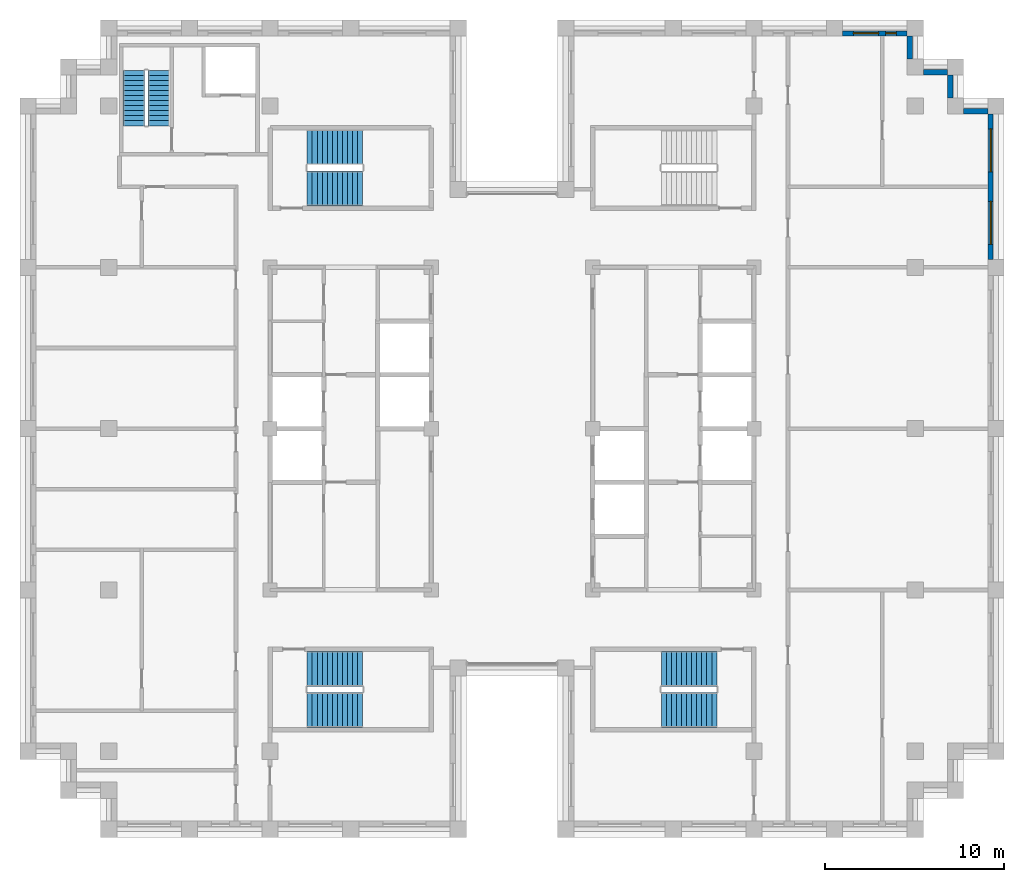
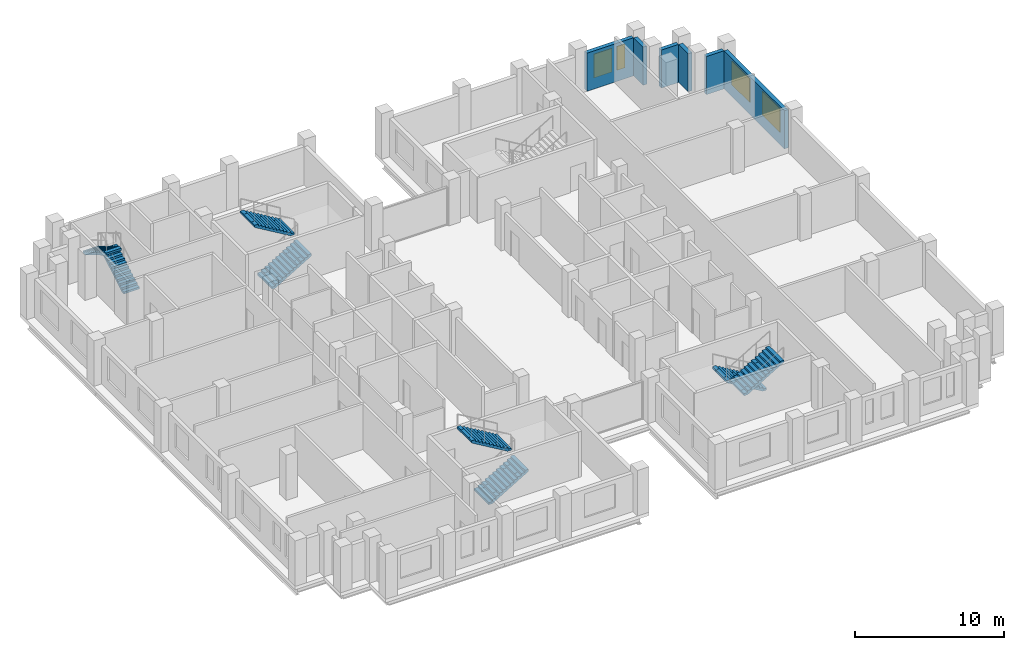
# One storey, part 11 of 13: 8 stair flights, 6 walls, 4 windows, 4 openings, 4 elements without a shape of their own.
"""IFC4 building model written with IfcOpenShell, lengths in metres."""

from ifc_helpers import new_model, si_unit, direction, frame, frame_2d, origin, place, context, subcontext, project, spatial, polyline, rectangle, outline, extrude, material, layer, layer_set, type_object, element, fill, aggregate, save


model = new_model("IFC4")

# Units and contexts
model_context = context("Model", 3, precision=1e-05, world=origin(), true_north=direction((0.0, 1.0)))
body_context = subcontext(model_context, "Body", "Model", "MODEL_VIEW")
ifc_project = project(units=[si_unit("LENGTHUNIT", "METRE"), si_unit("AREAUNIT", "SQUARE_METRE"), si_unit("VOLUMEUNIT", "CUBIC_METRE"), si_unit("PLANEANGLEUNIT", "RADIAN"), si_unit("MASSUNIT", "GRAM", prefix="KILO")], contexts=[model_context])

# Site, building, storey
site_placement = place(None, origin())
site = spatial("IfcSite", under=ifc_project, at=site_placement, CompositionType="ELEMENT")
building_placement = place(site_placement, origin())
building = spatial("IfcBuilding", under=site, at=building_placement, Name="Corbelhall Arena Tower", CompositionType="ELEMENT")
storey_placement = place(building_placement, frame((0.0, 0.0, 278.0)))
storey = spatial("IfcBuildingStorey", under=building, at=storey_placement, Name="L60", CompositionType="ELEMENT", Elevation=278.0)

# Wall, openings, windows
ifc_material_1 = material(Name="Precast concrete C40/50 with granite facing", Category="masonry")
ifc_layer = layer(ifc_material_1, 0.300048828125)
ifc_layer_set = layer_set([ifc_layer], Name="EV-IW1 Infill panel 300")
wall_type = type_object("IfcWallType", Name="EV-IW1 Infill panel 300", PredefinedType="SOLIDWALL", material=ifc_layer_set)
wall_1_placement = place(storey_placement, frame((26.699951171875, 9.449951171875, 0.0), z_axis=(0.0, 0.0, 1.0), x_axis=(0.0, 1.0, 0.0)))
wall_1 = element("IfcWall", 1, at=wall_1_placement, inside=storey, type_object=wall_type, Name="Infill panel IW1", PredefinedType="SOLIDWALL", context=body_context, shape_type="SweptSolid", body=[
    extrude(rectangle(XDim=8.10009765625, YDim=0.300048828125, at=frame_2d((4.050048828125, 0.0))), origin(), (0.0, 0.0, 1.0), 3.1201171875),
])
opening_1_placement = place(wall_1_placement, frame((0.824951171875, 0.0, 0.800048828125)))
opening_1 = element("IfcOpeningElement", 2, at=opening_1_placement, cuts=wall_1, Name="Opening WN1", PredefinedType="OPENING", context=body_context, shape_type="SweptSolid", body=[
    extrude(rectangle(XDim=2.39990234375, YDim=1.949951171875, at=frame_2d((1.199951171875, 0.97509765625))), frame((0.0, 0.14990234375, 0.0), z_axis=(0.0, -1.0, 0.0), x_axis=(1.0, 0.0, 0.0)), (0.0, 0.0, 1.0), 0.300048828125),
])
opening_2_placement = place(wall_1_placement, frame((4.875, 0.0, 0.800048828125)))
opening_2 = element("IfcOpeningElement", 3, at=opening_2_placement, cuts=wall_1, Name="Opening WN1", PredefinedType="OPENING", context=body_context, shape_type="SweptSolid", body=[
    extrude(rectangle(XDim=2.39990234375, YDim=1.949951171875, at=frame_2d((1.199951171875, 0.97509765625))), frame((0.0, 0.14990234375, 0.0), z_axis=(0.0, -1.0, 0.0), x_axis=(1.0, 0.0, 0.0)), (0.0, 0.0, 1.0), 0.300048828125),
])
ifc_material_2 = material(Name="Aluminium black anodised", Category="aluminium")
window_type_1 = type_object("IfcWindowType", Name="EV-WN1 Office window", PartitioningType="SINGLE_PANEL", PredefinedType="WINDOW", material=ifc_material_2)
window_1_placement = place(opening_1_placement, origin())
window_1 = element("IfcWindow", 4, at=window_1_placement, inside=storey, type_object=window_type_1, Name="Window WN1", OverallHeight=1.949951171875, OverallWidth=2.39990234375, PartitioningType="SINGLE_PANEL", PredefinedType="WINDOW", context=body_context, shape_type="SweptSolid", body=[
    extrude(rectangle(XDim=2.39990234375, YDim=1.949951171875, at=frame_2d((1.199951171875, 0.97509765625))), frame((0.0, 0.030029296875, 0.0), z_axis=(0.0, -1.0, 0.0), x_axis=(1.0, 0.0, 0.0)), (0.0, 0.0, 1.0), 0.06005859375),
])
fill(opening_1, window_1)
window_2_placement = place(opening_2_placement, origin())
window_2 = element("IfcWindow", 5, at=window_2_placement, inside=storey, type_object=window_type_1, Name="Window WN1", OverallHeight=1.949951171875, OverallWidth=2.39990234375, PartitioningType="SINGLE_PANEL", PredefinedType="WINDOW", context=body_context, shape_type="SweptSolid", body=[
    extrude(rectangle(XDim=2.39990234375, YDim=1.949951171875, at=frame_2d((1.199951171875, 0.97509765625))), frame((0.0, 0.030029296875, 0.0), z_axis=(0.0, -1.0, 0.0), x_axis=(1.0, 0.0, 0.0)), (0.0, 0.0, 1.0), 0.06005859375),
])
fill(opening_2, window_2)

# Walls
wall_2_placement = place(storey_placement, frame((26.550048828125, 17.699951171875, 0.0), z_axis=(0.0, 0.0, 1.0), x_axis=(-1.0, 0.0, 0.0)))
element("IfcWall", 6, at=wall_2_placement, inside=storey, type_object=wall_type, Name="Infill panel IW1", PredefinedType="SOLIDWALL", context=body_context, shape_type="SweptSolid", body=[
    extrude(rectangle(XDim=1.35009765625, YDim=0.300048828125, at=frame_2d((0.675048828125, 0.0))), origin(), (0.0, 0.0, 1.0), 3.1201171875),
])
wall_3_placement = place(storey_placement, frame((24.449951171875, 18.449951171875, 0.0), z_axis=(0.0, 0.0, 1.0), x_axis=(0.0, 1.0, 0.0)))
element("IfcWall", 7, at=wall_3_placement, inside=storey, type_object=wall_type, Name="Infill panel IW1", PredefinedType="SOLIDWALL", context=body_context, shape_type="SweptSolid", body=[
    extrude(rectangle(XDim=1.275146484375, YDim=0.300048828125, at=frame_2d((0.6376953125, 0.0))), origin(), (0.0, 0.0, 1.0), 3.1201171875),
])
wall_4_placement = place(storey_placement, frame((24.300048828125, 19.875, 0.0), z_axis=(0.0, 0.0, 1.0), x_axis=(-1.0, 0.0, 0.0)))
element("IfcWall", 8, at=wall_4_placement, inside=storey, type_object=wall_type, Name="Infill panel IW1", PredefinedType="SOLIDWALL", context=body_context, shape_type="SweptSolid", body=[
    extrude(rectangle(XDim=1.35009765625, YDim=0.300048828125, at=frame_2d((0.675048828125, 0.0))), origin(), (0.0, 0.0, 1.0), 3.1201171875),
])
wall_5_placement = place(storey_placement, frame((22.199951171875, 20.625, 0.0), z_axis=(0.0, 0.0, 1.0), x_axis=(0.0, 1.0, 0.0)))
element("IfcWall", 9, at=wall_5_placement, inside=storey, type_object=wall_type, Name="Infill panel IW1", PredefinedType="SOLIDWALL", context=body_context, shape_type="SweptSolid", body=[
    extrude(rectangle(XDim=1.27490234375, YDim=0.300048828125, at=frame_2d((0.637451171875, 0.0))), origin(), (0.0, 0.0, 1.0), 3.1201171875),
])

# Wall, openings, windows
wall_6_placement = place(storey_placement, frame((22.050048828125, 22.050048828125, 0.0), z_axis=(0.0, 0.0, 1.0), x_axis=(-1.0, 0.0, 0.0)))
wall_6 = element("IfcWall", 10, at=wall_6_placement, inside=storey, type_object=wall_type, Name="Infill panel IW1", PredefinedType="SOLIDWALL", context=body_context, shape_type="SweptSolid", body=[
    extrude(rectangle(XDim=3.60009765625, YDim=0.300048828125, at=frame_2d((1.800048828125, 0.0))), origin(), (0.0, 0.0, 1.0), 3.1201171875),
])
opening_3_placement = place(wall_6_placement, frame((0.60009765625, 0.0, 0.800048828125)))
opening_3 = element("IfcOpeningElement", 11, at=opening_3_placement, cuts=wall_6, Name="Opening WN5", PredefinedType="OPENING", context=body_context, shape_type="SweptSolid", body=[
    extrude(rectangle(XDim=0.60009765625, YDim=1.949951171875, at=frame_2d((0.300048828125, 0.97509765625))), frame((0.0, 0.14990234375, 0.0), z_axis=(0.0, -1.0, 0.0), x_axis=(1.0, 0.0, 0.0)), (0.0, 0.0, 1.0), 0.300048828125),
])
opening_4_placement = place(wall_6_placement, frame((1.60009765625, 0.0, 0.800048828125)))
opening_4 = element("IfcOpeningElement", 12, at=opening_4_placement, cuts=wall_6, Name="Opening WN7", PredefinedType="OPENING", context=body_context, shape_type="SweptSolid", body=[
    extrude(rectangle(XDim=1.39990234375, YDim=1.949951171875, at=frame_2d((0.699951171875, 0.97509765625))), frame((0.0, 0.14990234375, 0.0), z_axis=(0.0, -1.0, 0.0), x_axis=(1.0, 0.0, 0.0)), (0.0, 0.0, 1.0), 0.300048828125),
])
window_type_2 = type_object("IfcWindowType", Name="EV-WN5 Office window 600", PartitioningType="SINGLE_PANEL", PredefinedType="WINDOW", material=ifc_material_2)
window_3_placement = place(opening_3_placement, origin())
window_3 = element("IfcWindow", 13, at=window_3_placement, inside=storey, type_object=window_type_2, Name="Window WN5", OverallHeight=1.949951171875, OverallWidth=0.60009765625, PartitioningType="SINGLE_PANEL", PredefinedType="WINDOW", context=body_context, shape_type="SweptSolid", body=[
    extrude(rectangle(XDim=0.60009765625, YDim=1.949951171875, at=frame_2d((0.300048828125, 0.97509765625))), frame((0.0, 0.030029296875, 0.0), z_axis=(0.0, -1.0, 0.0), x_axis=(1.0, 0.0, 0.0)), (0.0, 0.0, 1.0), 0.06005859375),
])
fill(opening_3, window_3)
window_type_3 = type_object("IfcWindowType", Name="EV-WN7 Office window 1400", PartitioningType="SINGLE_PANEL", PredefinedType="WINDOW", material=ifc_material_2)
window_4_placement = place(opening_4_placement, origin())
window_4 = element("IfcWindow", 14, at=window_4_placement, inside=storey, type_object=window_type_3, Name="Window WN7", OverallHeight=1.949951171875, OverallWidth=1.39990234375, PartitioningType="SINGLE_PANEL", PredefinedType="WINDOW", context=body_context, shape_type="SweptSolid", body=[
    extrude(rectangle(XDim=1.39990234375, YDim=1.949951171875, at=frame_2d((0.699951171875, 0.97509765625))), frame((0.0, 0.030029296875, 0.0), z_axis=(0.0, -1.0, 0.0), x_axis=(1.0, 0.0, 0.0)), (0.0, 0.0, 1.0), 0.06005859375),
])
fill(opening_4, window_4)

# Stair, stair flights
ifc_material_3 = material(Name="Concrete C40/50", Category="concrete")
stair_type = type_object("IfcStairType", Name="IN-ST-TOWER", PredefinedType="HALF_TURN_STAIR", material=ifc_material_3)
stair_1_placement = place(storey_placement, origin())
stair_1 = element("IfcStair", 15, at=stair_1_placement, inside=storey, type_object=stair_type, Name="L60 Exit stair ST1", PredefinedType="HALF_TURN_STAIR")
stair_flight_type = type_object("IfcStairFlightType", Name="IN-SFL-RC", PredefinedType="STRAIGHT", material=ifc_material_3)
stair_flight_1_placement = place(storey_placement, frame((-11.425048828125, 13.39990234375, 0.0), z_axis=(0.0, 0.0, 1.0), x_axis=(1.0, 0.0, 0.0)))
stair_flight_1 = element("IfcStairFlight", 16, at=stair_flight_1_placement, type_object=stair_flight_type, Name="ST1 flight 1", NumberOfRisers=12, NumberOfTreads=11, PredefinedType="STRAIGHT", RiserHeight=0.166666667, TreadLength=0.28, context=body_context, shape_type="SweptSolid", body=[
    extrude(outline(polyline([(0.0, 0.0), (0.0, 0.166748046875), (0.280029296875, 0.166748046875), (0.280029296875, 0.333251953125), (0.56005859375, 0.333251953125), (0.56005859375, 0.5), (0.840087890625, 0.5), (0.840087890625, 0.666748046875), (1.1201171875, 0.666748046875), (1.1201171875, 0.833251953125), (1.39990234375, 0.833251953125), (1.39990234375, 1.0), (1.679931640625, 1.0), (1.679931640625, 1.166748046875), (1.9599609375, 1.166748046875), (1.9599609375, 1.333251953125), (2.239990234375, 1.333251953125), (2.239990234375, 1.5), (2.52001953125, 1.5), (2.52001953125, 1.666748046875), (2.800048828125, 1.666748046875), (2.800048828125, 1.833251953125), (3.080078125, 1.833251953125), (3.080078125, 2.0), (3.080078125, 1.658935546875), (0.29296875, 0.0), (0.0, 0.0)])), frame((0.0, 0.97509765625, 0.0), z_axis=(0.0, -1.0, 0.0), x_axis=(1.0, 0.0, 0.0)), (0.0, 0.0, 1.0), 0.449951171875),
    extrude(outline(polyline([(0.0, 0.0), (0.0, 0.166748046875), (0.280029296875, 0.166748046875), (0.280029296875, 0.333251953125), (0.56005859375, 0.333251953125), (0.56005859375, 0.5), (0.840087890625, 0.5), (0.840087890625, 0.666748046875), (1.1201171875, 0.666748046875), (1.1201171875, 0.833251953125), (1.39990234375, 0.833251953125), (1.39990234375, 1.0), (1.679931640625, 1.0), (1.679931640625, 1.166748046875), (1.9599609375, 1.166748046875), (1.9599609375, 1.333251953125), (2.239990234375, 1.333251953125), (2.239990234375, 1.5), (2.52001953125, 1.5), (2.52001953125, 1.666748046875), (2.800048828125, 1.666748046875), (2.800048828125, 1.833251953125), (3.080078125, 1.833251953125), (3.080078125, 2.0), (3.080078125, 1.658935546875), (0.29296875, 0.0), (0.0, 0.0)])), frame((0.0, 0.52099609375, 0.0), z_axis=(0.0, -1.0, 0.0), x_axis=(1.0, 0.0, 0.0)), (0.0, 0.0, 1.0), 1.0419921875),
    extrude(outline(polyline([(0.0, 0.0), (0.0, 0.166748046875), (0.280029296875, 0.166748046875), (0.280029296875, 0.333251953125), (0.56005859375, 0.333251953125), (0.56005859375, 0.5), (0.840087890625, 0.5), (0.840087890625, 0.666748046875), (1.1201171875, 0.666748046875), (1.1201171875, 0.833251953125), (1.39990234375, 0.833251953125), (1.39990234375, 1.0), (1.679931640625, 1.0), (1.679931640625, 1.166748046875), (1.9599609375, 1.166748046875), (1.9599609375, 1.333251953125), (2.239990234375, 1.333251953125), (2.239990234375, 1.5), (2.52001953125, 1.5), (2.52001953125, 1.666748046875), (2.800048828125, 1.666748046875), (2.800048828125, 1.833251953125), (3.080078125, 1.833251953125), (3.080078125, 2.0), (3.080078125, 1.658935546875), (0.29296875, 0.0), (0.0, 0.0)])), frame((0.0, -0.52490234375, 0.0), z_axis=(0.0, -1.0, 0.0), x_axis=(1.0, 0.0, 0.0)), (0.0, 0.0, 1.0), 0.449951171875),
])
stair_flight_2_placement = place(storey_placement, frame((-8.344970703125, 15.699951171875, 2.0), z_axis=(0.0, 0.0, 1.0), x_axis=(-1.0, 0.0, 0.0)))
stair_flight_2 = element("IfcStairFlight", 17, at=stair_flight_2_placement, type_object=stair_flight_type, Name="ST1 flight 2", NumberOfRisers=12, NumberOfTreads=11, PredefinedType="STRAIGHT", RiserHeight=0.166666667, TreadLength=0.28, context=body_context, shape_type="SweptSolid", body=[
    extrude(outline(polyline([(0.0, 0.0), (0.0, 0.166748046875), (0.280029296875, 0.166748046875), (0.280029296875, 0.333251953125), (0.56005859375, 0.333251953125), (0.56005859375, 0.5), (0.840087890625, 0.5), (0.840087890625, 0.666748046875), (1.1201171875, 0.666748046875), (1.1201171875, 0.833251953125), (1.39990234375, 0.833251953125), (1.39990234375, 1.0), (1.679931640625, 1.0), (1.679931640625, 1.166748046875), (1.9599609375, 1.166748046875), (1.9599609375, 1.333251953125), (2.239990234375, 1.333251953125), (2.239990234375, 1.5), (2.52001953125, 1.5), (2.52001953125, 1.666748046875), (2.800048828125, 1.666748046875), (2.800048828125, 1.833251953125), (3.080078125, 1.833251953125), (3.080078125, 2.0), (3.080078125, 1.658935546875), (0.29296875, 0.0), (0.0, 0.0)])), frame((0.0, 0.97509765625, 0.0), z_axis=(0.0, -1.0, 0.0), x_axis=(1.0, 0.0, 0.0)), (0.0, 0.0, 1.0), 0.449951171875),
    extrude(outline(polyline([(0.0, 0.0), (0.0, 0.166748046875), (0.280029296875, 0.166748046875), (0.280029296875, 0.333251953125), (0.56005859375, 0.333251953125), (0.56005859375, 0.5), (0.840087890625, 0.5), (0.840087890625, 0.666748046875), (1.1201171875, 0.666748046875), (1.1201171875, 0.833251953125), (1.39990234375, 0.833251953125), (1.39990234375, 1.0), (1.679931640625, 1.0), (1.679931640625, 1.166748046875), (1.9599609375, 1.166748046875), (1.9599609375, 1.333251953125), (2.239990234375, 1.333251953125), (2.239990234375, 1.5), (2.52001953125, 1.5), (2.52001953125, 1.666748046875), (2.800048828125, 1.666748046875), (2.800048828125, 1.833251953125), (3.080078125, 1.833251953125), (3.080078125, 2.0), (3.080078125, 1.658935546875), (0.29296875, 0.0), (0.0, 0.0)])), frame((0.0, 0.52099609375, 0.0), z_axis=(0.0, -1.0, 0.0), x_axis=(1.0, 0.0, 0.0)), (0.0, 0.0, 1.0), 1.0419921875),
    extrude(outline(polyline([(0.0, 0.0), (0.0, 0.166748046875), (0.280029296875, 0.166748046875), (0.280029296875, 0.333251953125), (0.56005859375, 0.333251953125), (0.56005859375, 0.5), (0.840087890625, 0.5), (0.840087890625, 0.666748046875), (1.1201171875, 0.666748046875), (1.1201171875, 0.833251953125), (1.39990234375, 0.833251953125), (1.39990234375, 1.0), (1.679931640625, 1.0), (1.679931640625, 1.166748046875), (1.9599609375, 1.166748046875), (1.9599609375, 1.333251953125), (2.239990234375, 1.333251953125), (2.239990234375, 1.5), (2.52001953125, 1.5), (2.52001953125, 1.666748046875), (2.800048828125, 1.666748046875), (2.800048828125, 1.833251953125), (3.080078125, 1.833251953125), (3.080078125, 2.0), (3.080078125, 1.658935546875), (0.29296875, 0.0), (0.0, 0.0)])), frame((0.0, -0.52490234375, 0.0), z_axis=(0.0, -1.0, 0.0), x_axis=(1.0, 0.0, 0.0)), (0.0, 0.0, 1.0), 0.449951171875),
])
aggregate(stair_1, [stair_flight_1, stair_flight_2])

stair_2_placement = place(storey_placement, origin())
stair_2 = element("IfcStair", 18, at=stair_2_placement, inside=storey, type_object=stair_type, Name="L60 Exit stair ST2", PredefinedType="HALF_TURN_STAIR")
stair_flight_3_placement = place(storey_placement, frame((-11.425048828125, -15.699951171875, 0.0), z_axis=(0.0, 0.0, 1.0), x_axis=(1.0, 0.0, 0.0)))
stair_flight_3 = element("IfcStairFlight", 19, at=stair_flight_3_placement, type_object=stair_flight_type, Name="ST2 flight 1", NumberOfRisers=12, NumberOfTreads=11, PredefinedType="STRAIGHT", RiserHeight=0.166666667, TreadLength=0.28, context=body_context, shape_type="SweptSolid", body=[
    extrude(outline(polyline([(0.0, 0.0), (0.0, 0.166748046875), (0.280029296875, 0.166748046875), (0.280029296875, 0.333251953125), (0.56005859375, 0.333251953125), (0.56005859375, 0.5), (0.840087890625, 0.5), (0.840087890625, 0.666748046875), (1.1201171875, 0.666748046875), (1.1201171875, 0.833251953125), (1.39990234375, 0.833251953125), (1.39990234375, 1.0), (1.679931640625, 1.0), (1.679931640625, 1.166748046875), (1.9599609375, 1.166748046875), (1.9599609375, 1.333251953125), (2.239990234375, 1.333251953125), (2.239990234375, 1.5), (2.52001953125, 1.5), (2.52001953125, 1.666748046875), (2.800048828125, 1.666748046875), (2.800048828125, 1.833251953125), (3.080078125, 1.833251953125), (3.080078125, 2.0), (3.080078125, 1.658935546875), (0.29296875, 0.0), (0.0, 0.0)])), frame((0.0, 0.97509765625, 0.0), z_axis=(0.0, -1.0, 0.0), x_axis=(1.0, 0.0, 0.0)), (0.0, 0.0, 1.0), 0.449951171875),
    extrude(outline(polyline([(0.0, 0.0), (0.0, 0.166748046875), (0.280029296875, 0.166748046875), (0.280029296875, 0.333251953125), (0.56005859375, 0.333251953125), (0.56005859375, 0.5), (0.840087890625, 0.5), (0.840087890625, 0.666748046875), (1.1201171875, 0.666748046875), (1.1201171875, 0.833251953125), (1.39990234375, 0.833251953125), (1.39990234375, 1.0), (1.679931640625, 1.0), (1.679931640625, 1.166748046875), (1.9599609375, 1.166748046875), (1.9599609375, 1.333251953125), (2.239990234375, 1.333251953125), (2.239990234375, 1.5), (2.52001953125, 1.5), (2.52001953125, 1.666748046875), (2.800048828125, 1.666748046875), (2.800048828125, 1.833251953125), (3.080078125, 1.833251953125), (3.080078125, 2.0), (3.080078125, 1.658935546875), (0.29296875, 0.0), (0.0, 0.0)])), frame((0.0, 0.52099609375, 0.0), z_axis=(0.0, -1.0, 0.0), x_axis=(1.0, 0.0, 0.0)), (0.0, 0.0, 1.0), 1.0419921875),
    extrude(outline(polyline([(0.0, 0.0), (0.0, 0.166748046875), (0.280029296875, 0.166748046875), (0.280029296875, 0.333251953125), (0.56005859375, 0.333251953125), (0.56005859375, 0.5), (0.840087890625, 0.5), (0.840087890625, 0.666748046875), (1.1201171875, 0.666748046875), (1.1201171875, 0.833251953125), (1.39990234375, 0.833251953125), (1.39990234375, 1.0), (1.679931640625, 1.0), (1.679931640625, 1.166748046875), (1.9599609375, 1.166748046875), (1.9599609375, 1.333251953125), (2.239990234375, 1.333251953125), (2.239990234375, 1.5), (2.52001953125, 1.5), (2.52001953125, 1.666748046875), (2.800048828125, 1.666748046875), (2.800048828125, 1.833251953125), (3.080078125, 1.833251953125), (3.080078125, 2.0), (3.080078125, 1.658935546875), (0.29296875, 0.0), (0.0, 0.0)])), frame((0.0, -0.52490234375, 0.0), z_axis=(0.0, -1.0, 0.0), x_axis=(1.0, 0.0, 0.0)), (0.0, 0.0, 1.0), 0.449951171875),
])
stair_flight_4_placement = place(storey_placement, frame((-8.344970703125, -13.39990234375, 2.0), z_axis=(0.0, 0.0, 1.0), x_axis=(-1.0, 0.0, 0.0)))
stair_flight_4 = element("IfcStairFlight", 20, at=stair_flight_4_placement, type_object=stair_flight_type, Name="ST2 flight 2", NumberOfRisers=12, NumberOfTreads=11, PredefinedType="STRAIGHT", RiserHeight=0.166666667, TreadLength=0.28, context=body_context, shape_type="SweptSolid", body=[
    extrude(outline(polyline([(0.0, 0.0), (0.0, 0.166748046875), (0.280029296875, 0.166748046875), (0.280029296875, 0.333251953125), (0.56005859375, 0.333251953125), (0.56005859375, 0.5), (0.840087890625, 0.5), (0.840087890625, 0.666748046875), (1.1201171875, 0.666748046875), (1.1201171875, 0.833251953125), (1.39990234375, 0.833251953125), (1.39990234375, 1.0), (1.679931640625, 1.0), (1.679931640625, 1.166748046875), (1.9599609375, 1.166748046875), (1.9599609375, 1.333251953125), (2.239990234375, 1.333251953125), (2.239990234375, 1.5), (2.52001953125, 1.5), (2.52001953125, 1.666748046875), (2.800048828125, 1.666748046875), (2.800048828125, 1.833251953125), (3.080078125, 1.833251953125), (3.080078125, 2.0), (3.080078125, 1.658935546875), (0.29296875, 0.0), (0.0, 0.0)])), frame((0.0, 0.97509765625, 0.0), z_axis=(0.0, -1.0, 0.0), x_axis=(1.0, 0.0, 0.0)), (0.0, 0.0, 1.0), 0.449951171875),
    extrude(outline(polyline([(0.0, 0.0), (0.0, 0.166748046875), (0.280029296875, 0.166748046875), (0.280029296875, 0.333251953125), (0.56005859375, 0.333251953125), (0.56005859375, 0.5), (0.840087890625, 0.5), (0.840087890625, 0.666748046875), (1.1201171875, 0.666748046875), (1.1201171875, 0.833251953125), (1.39990234375, 0.833251953125), (1.39990234375, 1.0), (1.679931640625, 1.0), (1.679931640625, 1.166748046875), (1.9599609375, 1.166748046875), (1.9599609375, 1.333251953125), (2.239990234375, 1.333251953125), (2.239990234375, 1.5), (2.52001953125, 1.5), (2.52001953125, 1.666748046875), (2.800048828125, 1.666748046875), (2.800048828125, 1.833251953125), (3.080078125, 1.833251953125), (3.080078125, 2.0), (3.080078125, 1.658935546875), (0.29296875, 0.0), (0.0, 0.0)])), frame((0.0, 0.52099609375, 0.0), z_axis=(0.0, -1.0, 0.0), x_axis=(1.0, 0.0, 0.0)), (0.0, 0.0, 1.0), 1.0419921875),
    extrude(outline(polyline([(0.0, 0.0), (0.0, 0.166748046875), (0.280029296875, 0.166748046875), (0.280029296875, 0.333251953125), (0.56005859375, 0.333251953125), (0.56005859375, 0.5), (0.840087890625, 0.5), (0.840087890625, 0.666748046875), (1.1201171875, 0.666748046875), (1.1201171875, 0.833251953125), (1.39990234375, 0.833251953125), (1.39990234375, 1.0), (1.679931640625, 1.0), (1.679931640625, 1.166748046875), (1.9599609375, 1.166748046875), (1.9599609375, 1.333251953125), (2.239990234375, 1.333251953125), (2.239990234375, 1.5), (2.52001953125, 1.5), (2.52001953125, 1.666748046875), (2.800048828125, 1.666748046875), (2.800048828125, 1.833251953125), (3.080078125, 1.833251953125), (3.080078125, 2.0), (3.080078125, 1.658935546875), (0.29296875, 0.0), (0.0, 0.0)])), frame((0.0, -0.52490234375, 0.0), z_axis=(0.0, -1.0, 0.0), x_axis=(1.0, 0.0, 0.0)), (0.0, 0.0, 1.0), 0.449951171875),
])
aggregate(stair_2, [stair_flight_3, stair_flight_4])

stair_3_placement = place(storey_placement, origin())
stair_3 = element("IfcStair", 21, at=stair_3_placement, inside=storey, type_object=stair_type, Name="L60 Exit stair ST4", PredefinedType="HALF_TURN_STAIR")
stair_flight_5_placement = place(storey_placement, frame((11.425048828125, -13.39990234375, 0.0), z_axis=(0.0, 0.0, 1.0), x_axis=(-1.0, 0.0, 0.0)))
stair_flight_5 = element("IfcStairFlight", 22, at=stair_flight_5_placement, type_object=stair_flight_type, Name="ST4 flight 1", NumberOfRisers=12, NumberOfTreads=11, PredefinedType="STRAIGHT", RiserHeight=0.166666667, TreadLength=0.28, context=body_context, shape_type="SweptSolid", body=[
    extrude(outline(polyline([(0.0, 0.0), (0.0, 0.166748046875), (0.280029296875, 0.166748046875), (0.280029296875, 0.333251953125), (0.56005859375, 0.333251953125), (0.56005859375, 0.5), (0.840087890625, 0.5), (0.840087890625, 0.666748046875), (1.1201171875, 0.666748046875), (1.1201171875, 0.833251953125), (1.39990234375, 0.833251953125), (1.39990234375, 1.0), (1.679931640625, 1.0), (1.679931640625, 1.166748046875), (1.9599609375, 1.166748046875), (1.9599609375, 1.333251953125), (2.239990234375, 1.333251953125), (2.239990234375, 1.5), (2.52001953125, 1.5), (2.52001953125, 1.666748046875), (2.800048828125, 1.666748046875), (2.800048828125, 1.833251953125), (3.080078125, 1.833251953125), (3.080078125, 2.0), (3.080078125, 1.658935546875), (0.29296875, 0.0), (0.0, 0.0)])), frame((0.0, 0.97509765625, 0.0), z_axis=(0.0, -1.0, 0.0), x_axis=(1.0, 0.0, 0.0)), (0.0, 0.0, 1.0), 0.449951171875),
    extrude(outline(polyline([(0.0, 0.0), (0.0, 0.166748046875), (0.280029296875, 0.166748046875), (0.280029296875, 0.333251953125), (0.56005859375, 0.333251953125), (0.56005859375, 0.5), (0.840087890625, 0.5), (0.840087890625, 0.666748046875), (1.1201171875, 0.666748046875), (1.1201171875, 0.833251953125), (1.39990234375, 0.833251953125), (1.39990234375, 1.0), (1.679931640625, 1.0), (1.679931640625, 1.166748046875), (1.9599609375, 1.166748046875), (1.9599609375, 1.333251953125), (2.239990234375, 1.333251953125), (2.239990234375, 1.5), (2.52001953125, 1.5), (2.52001953125, 1.666748046875), (2.800048828125, 1.666748046875), (2.800048828125, 1.833251953125), (3.080078125, 1.833251953125), (3.080078125, 2.0), (3.080078125, 1.658935546875), (0.29296875, 0.0), (0.0, 0.0)])), frame((0.0, 0.52099609375, 0.0), z_axis=(0.0, -1.0, 0.0), x_axis=(1.0, 0.0, 0.0)), (0.0, 0.0, 1.0), 1.0419921875),
    extrude(outline(polyline([(0.0, 0.0), (0.0, 0.166748046875), (0.280029296875, 0.166748046875), (0.280029296875, 0.333251953125), (0.56005859375, 0.333251953125), (0.56005859375, 0.5), (0.840087890625, 0.5), (0.840087890625, 0.666748046875), (1.1201171875, 0.666748046875), (1.1201171875, 0.833251953125), (1.39990234375, 0.833251953125), (1.39990234375, 1.0), (1.679931640625, 1.0), (1.679931640625, 1.166748046875), (1.9599609375, 1.166748046875), (1.9599609375, 1.333251953125), (2.239990234375, 1.333251953125), (2.239990234375, 1.5), (2.52001953125, 1.5), (2.52001953125, 1.666748046875), (2.800048828125, 1.666748046875), (2.800048828125, 1.833251953125), (3.080078125, 1.833251953125), (3.080078125, 2.0), (3.080078125, 1.658935546875), (0.29296875, 0.0), (0.0, 0.0)])), frame((0.0, -0.52490234375, 0.0), z_axis=(0.0, -1.0, 0.0), x_axis=(1.0, 0.0, 0.0)), (0.0, 0.0, 1.0), 0.449951171875),
])
stair_flight_6_placement = place(storey_placement, frame((8.344970703125, -15.699951171875, 2.0), z_axis=(0.0, 0.0, 1.0), x_axis=(1.0, 0.0, 0.0)))
stair_flight_6 = element("IfcStairFlight", 23, at=stair_flight_6_placement, type_object=stair_flight_type, Name="ST4 flight 2", NumberOfRisers=12, NumberOfTreads=11, PredefinedType="STRAIGHT", RiserHeight=0.166666667, TreadLength=0.28, context=body_context, shape_type="SweptSolid", body=[
    extrude(outline(polyline([(0.0, 0.0), (0.0, 0.166748046875), (0.280029296875, 0.166748046875), (0.280029296875, 0.333251953125), (0.56005859375, 0.333251953125), (0.56005859375, 0.5), (0.840087890625, 0.5), (0.840087890625, 0.666748046875), (1.1201171875, 0.666748046875), (1.1201171875, 0.833251953125), (1.39990234375, 0.833251953125), (1.39990234375, 1.0), (1.679931640625, 1.0), (1.679931640625, 1.166748046875), (1.9599609375, 1.166748046875), (1.9599609375, 1.333251953125), (2.239990234375, 1.333251953125), (2.239990234375, 1.5), (2.52001953125, 1.5), (2.52001953125, 1.666748046875), (2.800048828125, 1.666748046875), (2.800048828125, 1.833251953125), (3.080078125, 1.833251953125), (3.080078125, 2.0), (3.080078125, 1.658935546875), (0.29296875, 0.0), (0.0, 0.0)])), frame((0.0, 0.97509765625, 0.0), z_axis=(0.0, -1.0, 0.0), x_axis=(1.0, 0.0, 0.0)), (0.0, 0.0, 1.0), 0.449951171875),
    extrude(outline(polyline([(0.0, 0.0), (0.0, 0.166748046875), (0.280029296875, 0.166748046875), (0.280029296875, 0.333251953125), (0.56005859375, 0.333251953125), (0.56005859375, 0.5), (0.840087890625, 0.5), (0.840087890625, 0.666748046875), (1.1201171875, 0.666748046875), (1.1201171875, 0.833251953125), (1.39990234375, 0.833251953125), (1.39990234375, 1.0), (1.679931640625, 1.0), (1.679931640625, 1.166748046875), (1.9599609375, 1.166748046875), (1.9599609375, 1.333251953125), (2.239990234375, 1.333251953125), (2.239990234375, 1.5), (2.52001953125, 1.5), (2.52001953125, 1.666748046875), (2.800048828125, 1.666748046875), (2.800048828125, 1.833251953125), (3.080078125, 1.833251953125), (3.080078125, 2.0), (3.080078125, 1.658935546875), (0.29296875, 0.0), (0.0, 0.0)])), frame((0.0, 0.52099609375, 0.0), z_axis=(0.0, -1.0, 0.0), x_axis=(1.0, 0.0, 0.0)), (0.0, 0.0, 1.0), 1.0419921875),
    extrude(outline(polyline([(0.0, 0.0), (0.0, 0.166748046875), (0.280029296875, 0.166748046875), (0.280029296875, 0.333251953125), (0.56005859375, 0.333251953125), (0.56005859375, 0.5), (0.840087890625, 0.5), (0.840087890625, 0.666748046875), (1.1201171875, 0.666748046875), (1.1201171875, 0.833251953125), (1.39990234375, 0.833251953125), (1.39990234375, 1.0), (1.679931640625, 1.0), (1.679931640625, 1.166748046875), (1.9599609375, 1.166748046875), (1.9599609375, 1.333251953125), (2.239990234375, 1.333251953125), (2.239990234375, 1.5), (2.52001953125, 1.5), (2.52001953125, 1.666748046875), (2.800048828125, 1.666748046875), (2.800048828125, 1.833251953125), (3.080078125, 1.833251953125), (3.080078125, 2.0), (3.080078125, 1.658935546875), (0.29296875, 0.0), (0.0, 0.0)])), frame((0.0, -0.52490234375, 0.0), z_axis=(0.0, -1.0, 0.0), x_axis=(1.0, 0.0, 0.0)), (0.0, 0.0, 1.0), 0.449951171875),
])
aggregate(stair_3, [stair_flight_5, stair_flight_6])

stair_4_placement = place(storey_placement, origin())
stair_4 = element("IfcStair", 24, at=stair_4_placement, inside=storey, type_object=stair_type, Name="L60 Exit stair ST5", PredefinedType="HALF_TURN_STAIR")
stair_flight_7_placement = place(storey_placement, frame((-19.695068359375, 16.89990234375, 0.0), z_axis=(0.0, 0.0, 1.0), x_axis=(0.0, 1.0, 0.0)))
stair_flight_7 = element("IfcStairFlight", 25, at=stair_flight_7_placement, type_object=stair_flight_type, Name="ST5 flight 1", NumberOfRisers=12, NumberOfTreads=11, PredefinedType="STRAIGHT", RiserHeight=0.166666667, TreadLength=0.28, context=body_context, shape_type="SweptSolid", body=[
    extrude(outline(polyline([(0.0, 0.0), (0.0, 0.166748046875), (0.280029296875, 0.166748046875), (0.280029296875, 0.333251953125), (0.56005859375, 0.333251953125), (0.56005859375, 0.5), (0.840087890625, 0.5), (0.840087890625, 0.666748046875), (1.1201171875, 0.666748046875), (1.1201171875, 0.833251953125), (1.39990234375, 0.833251953125), (1.39990234375, 1.0), (1.679931640625, 1.0), (1.679931640625, 1.166748046875), (1.9599609375, 1.166748046875), (1.9599609375, 1.333251953125), (2.239990234375, 1.333251953125), (2.239990234375, 1.5), (2.52001953125, 1.5), (2.52001953125, 1.666748046875), (2.800048828125, 1.666748046875), (2.800048828125, 1.833251953125), (3.080078125, 1.833251953125), (3.080078125, 2.0), (3.080078125, 1.658935546875), (0.29296875, 0.0), (0.0, 0.0)])), frame((0.0, 0.60009765625, 0.0), z_axis=(0.0, -1.0, 0.0), x_axis=(1.0, 0.0, 0.0)), (0.0, 0.0, 1.0), 1.199951171875),
])
stair_flight_8_placement = place(storey_placement, frame((-21.094970703125, 19.97998046875, 2.0), z_axis=(0.0, 0.0, 1.0), x_axis=(0.0, -1.0, 0.0)))
stair_flight_8 = element("IfcStairFlight", 26, at=stair_flight_8_placement, type_object=stair_flight_type, Name="ST5 flight 2", NumberOfRisers=12, NumberOfTreads=11, PredefinedType="STRAIGHT", RiserHeight=0.166666667, TreadLength=0.28, context=body_context, shape_type="SweptSolid", body=[
    extrude(outline(polyline([(0.0, 0.0), (0.0, 0.166748046875), (0.280029296875, 0.166748046875), (0.280029296875, 0.333251953125), (0.56005859375, 0.333251953125), (0.56005859375, 0.5), (0.840087890625, 0.5), (0.840087890625, 0.666748046875), (1.1201171875, 0.666748046875), (1.1201171875, 0.833251953125), (1.39990234375, 0.833251953125), (1.39990234375, 1.0), (1.679931640625, 1.0), (1.679931640625, 1.166748046875), (1.9599609375, 1.166748046875), (1.9599609375, 1.333251953125), (2.239990234375, 1.333251953125), (2.239990234375, 1.5), (2.52001953125, 1.5), (2.52001953125, 1.666748046875), (2.800048828125, 1.666748046875), (2.800048828125, 1.833251953125), (3.080078125, 1.833251953125), (3.080078125, 2.0), (3.080078125, 1.658935546875), (0.29296875, 0.0), (0.0, 0.0)])), frame((0.0, 0.60009765625, 0.0), z_axis=(0.0, -1.0, 0.0), x_axis=(1.0, 0.0, 0.0)), (0.0, 0.0, 1.0), 1.199951171875),
])
aggregate(stair_4, [stair_flight_7, stair_flight_8])

save(model, "model.ifc")
